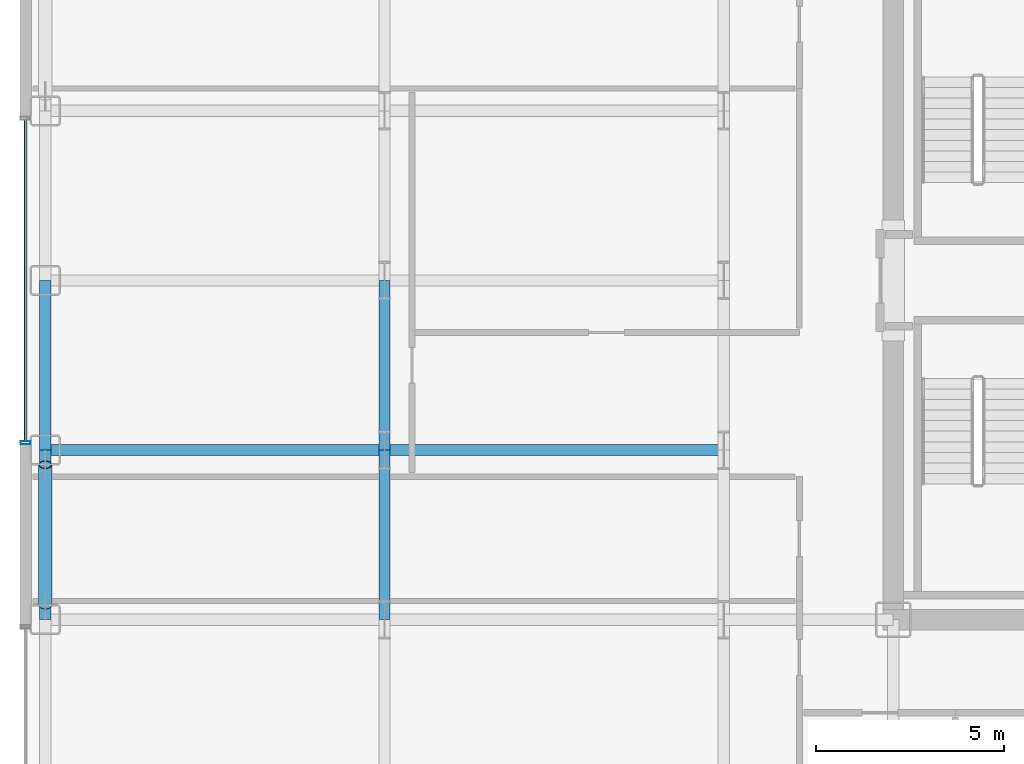
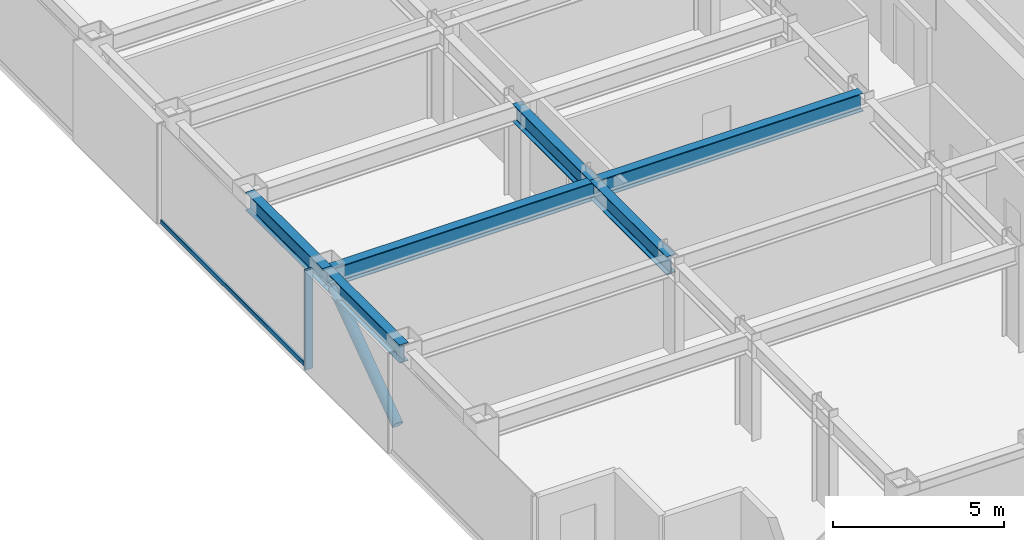
# One storey, part 5 of 29: 6 beams, 3 members, 1 element without a shape of its own.
"""IFC4 building model written with IfcOpenShell, lengths in metres."""

from ifc_helpers import new_model, si_unit, direction, frame, origin, origin_2d, place, context, subcontext, project, spatial, hollow_rectangle, hollow_circle, i_section, extrude, source, transform, mapped, material, layer, layer_set, material_profile, profile_set, type_object, element, aggregate, save


model = new_model("IFC4")

# Units and contexts
model_context = context("Model", 3, precision=1e-05, world=origin(), true_north=direction((0.0, 1.0)))
body_context = subcontext(model_context, "Body", "Model", "MODEL_VIEW")
ifc_project = project(units=[si_unit("LENGTHUNIT", "METRE"), si_unit("AREAUNIT", "SQUARE_METRE"), si_unit("VOLUMEUNIT", "CUBIC_METRE"), si_unit("PLANEANGLEUNIT", "RADIAN"), si_unit("MASSUNIT", "GRAM", prefix="KILO")], contexts=[model_context])

# Site, building, storey
site_placement = place(None, origin())
site = spatial("IfcSite", under=ifc_project, at=site_placement, CompositionType="ELEMENT")
building_placement = place(site_placement, origin())
building = spatial("IfcBuilding", under=site, at=building_placement, Name="Nefas-Gora Pilgrimage Tower", CompositionType="ELEMENT")
storey_placement = place(building_placement, frame((0.0, 0.0, 113.60009765625)))
storey = spatial("IfcBuildingStorey", under=building, at=storey_placement, Name="L27", CompositionType="ELEMENT", Elevation=113.60009765625)

# Beams
ifc_material_1 = material(Name="Steel S355", Category="steel")
ifc_material_profile_1 = material_profile(ifc_material_1, i_section(OverallWidth=0.300048828125, OverallDepth=0.64990234375, WebThickness=0.01611328125, FlangeThickness=0.031005859375, FilletRadius=0.027099609375, at=origin_2d()), Name="HEB 650")
ifc_profile_set_1 = profile_set([ifc_material_profile_1], Name="Steel S355")
beam_type_1 = type_object("IfcBeamType", Name="BM-SPN-HEB500", PredefinedType="SPANDREL", material=ifc_profile_set_1)
shared_shape_1 = source(origin(), body_context, "Body", "SweptSolid", [
    extrude(i_section(OverallWidth=0.300048828125, OverallDepth=0.64990234375, WebThickness=0.01611328125, FlangeThickness=0.031005859375, FilletRadius=0.027099609375, at=origin_2d()), origin(), (0.0, 0.0, 1.0), 4.5),
])
for number, where, z_axis, x_axis, name in (
    (1, (-33.75, -9.0, 3.224853515625), (0.0, 1.0, 0.0), (-1.0, 0.0, 0.0), "L27 SP-02 beam"),
    (2, (-33.75, -4.5, 3.224853515625), (0.0, 1.0, 0.0), (-1.0, 0.0, 0.0), "L27 SP-02 beam"),
):
    element("IfcBeam", number, at=place(storey_placement, frame(where, z_axis=z_axis, x_axis=x_axis)), inside=storey, type_object=beam_type_1, Name=name, PredefinedType="SPANDREL", context=body_context, shape_type="MappedRepresentation", body=[
        mapped(shared_shape_1, transform((0.0, 0.0, 0.0), x_axis=(1.0, 0.0, 0.0), y_axis=(0.0, 1.0, 0.0), z_axis=(0.0, 0.0, 1.0), scale=1.0)),
    ])
ifc_material_profile_2 = material_profile(ifc_material_1, i_section(OverallWidth=0.300048828125, OverallDepth=0.64990234375, WebThickness=0.01611328125, FlangeThickness=0.031005859375, FilletRadius=0.027099609375, at=origin_2d()), Name="HEB 650")
ifc_profile_set_2 = profile_set([ifc_material_profile_2], Name="Steel S355")
beam_type_2 = type_object("IfcBeamType", Name="BM-GIR-HEB650", PredefinedType="BEAM", material=ifc_profile_set_2)
shared_shape_2 = source(origin(), body_context, "Body", "SweptSolid", [
    extrude(i_section(OverallWidth=0.300048828125, OverallDepth=0.64990234375, WebThickness=0.01611328125, FlangeThickness=0.031005859375, FilletRadius=0.027099609375, at=origin_2d()), origin(), (0.0, 0.0, 1.0), 9.0),
])
for number, where, z_axis, x_axis, name in (
    (3, (-33.75, -4.5, 3.224853515625), (1.0, 0.0, 0.0), (0.0, 1.0, 0.0), "L27 G-03 beam"),
    (4, (-24.75, -4.5, 3.224853515625), (1.0, 0.0, 0.0), (0.0, 1.0, 0.0), "L27 G-03 beam"),
):
    element("IfcBeam", number, at=place(storey_placement, frame(where, z_axis=z_axis, x_axis=x_axis)), inside=storey, type_object=beam_type_2, Name=name, PredefinedType="BEAM", context=body_context, shape_type="MappedRepresentation", body=[
        mapped(shared_shape_2, transform((0.0, 0.0, 0.0), x_axis=(1.0, 0.0, 0.0), y_axis=(0.0, 1.0, 0.0), z_axis=(0.0, 0.0, 1.0), scale=1.0)),
    ])
shared_shape_3 = source(origin(), body_context, "Body", "SweptSolid", [
    extrude(i_section(OverallWidth=0.300048828125, OverallDepth=0.64990234375, WebThickness=0.01611328125, FlangeThickness=0.031005859375, FilletRadius=0.027099609375, at=origin_2d()), origin(), (0.0, 0.0, 1.0), 4.5),
])
for number, where, z_axis, x_axis, name in (
    (5, (-24.75, -9.0, 3.224853515625), (0.0, 1.0, 0.0), (-1.0, 0.0, 0.0), "L27 G-03 beam"),
    (6, (-24.75, -4.5, 3.224853515625), (0.0, 1.0, 0.0), (-1.0, 0.0, 0.0), "L27 G-03 beam"),
):
    element("IfcBeam", number, at=place(storey_placement, frame(where, z_axis=z_axis, x_axis=x_axis)), inside=storey, type_object=beam_type_2, Name=name, PredefinedType="BEAM", context=body_context, shape_type="MappedRepresentation", body=[
        mapped(shared_shape_3, transform((0.0, 0.0, 0.0), x_axis=(1.0, 0.0, 0.0), y_axis=(0.0, 1.0, 0.0), z_axis=(0.0, 0.0, 1.0), scale=1.0)),
    ])

# Member
ifc_material_2 = material(Name="Steel S460", Category="steel")
ifc_material_profile_3 = material_profile(ifc_material_2, hollow_circle(Radius=0.177734375, WallThickness=0.02001953125, at=origin_2d()), Name="CHS 355.6x20")
ifc_profile_set_3 = profile_set([ifc_material_profile_3], Name="Steel S460")
member_type_1 = type_object("IfcMemberType", Name="MEM-TUBE-356", PredefinedType="BRACE", material=ifc_profile_set_3)
shared_shape_4 = source(origin(), body_context, "Body", "SweptSolid", [
    extrude(hollow_circle(Radius=0.177734375, WallThickness=0.02001953125, at=origin_2d()), origin(), (0.0, 0.0, 1.0), 4.579345703125),
])
member_1_placement = place(storey_placement, frame((-33.75, -8.612060546875, 0.427490234375), z_axis=(0.0, 0.813246879171, 0.581918820385), x_axis=(-1.0, 0.0, 0.0)))
element("IfcMember", 7, at=member_1_placement, inside=storey, type_object=member_type_1, Name="L27 Perimeter Tube Diagonal Brace W1", PredefinedType="BRACE", context=body_context, shape_type="MappedRepresentation", body=[
    mapped(shared_shape_4, transform((0.0, 0.0, 0.0), x_axis=(1.0, 0.0, 0.0), y_axis=(0.0, 1.0, 0.0), z_axis=(0.0, 0.0, 1.0), scale=1.0)),
])

# Curtain wall, members
ifc_material_3 = material(Name="Dark ceramic-fritted solar-control aluminium-glass curtain wall", Category="aluminium")
ifc_layer = layer(ifc_material_3, 0.219970703125)
ifc_layer_set = layer_set([ifc_layer], Name="Dark ceramic-fritted solar-control aluminium-glass curtain wall")
curtain_wall_type = type_object("IfcCurtainWallType", Name="CW-SYS-2", PredefinedType="NOTDEFINED", material=ifc_layer_set)
curtain_wall_placement = place(storey_placement, origin())
curtain_wall = element("IfcCurtainWall", 8, at=curtain_wall_placement, inside=storey, type_object=curtain_wall_type, Name="L27 Unitised Curtain Wall CW2", PredefinedType="NOTDEFINED")
ifc_material_4 = material(Name="Anodised architectural aluminium", Category="aluminium")
ifc_material_profile_4 = material_profile(ifc_material_4, hollow_rectangle(XDim=0.080078125, YDim=0.159912109375, WallThickness=0.00439453125, InnerFilletRadius=0.00439453125, OuterFilletRadius=0.009033203125, at=origin_2d()), Name="ALU TRANSOM 80x160")
ifc_profile_set_4 = profile_set([ifc_material_profile_4], Name="Anodised architectural aluminium")
member_type_2 = type_object("IfcMemberType", Name="CWM-TRN-2", PredefinedType="USERDEFINED", material=ifc_profile_set_4)
shared_shape_5 = source(origin(), body_context, "Body", "SweptSolid", [
    extrude(hollow_rectangle(XDim=0.080078125, YDim=0.159912109375, WallThickness=0.00439453125, InnerFilletRadius=0.00439453125, OuterFilletRadius=0.009033203125, at=origin_2d()), origin(), (0.0, 0.0, 1.0), 8.52001953125),
])
member_2_placement = place(storey_placement, frame((-34.27001953125, 4.260009765625, 0.0498046875), z_axis=(0.0, -1.0, 0.0), x_axis=(1.0, 0.0, 0.0)))
member_2 = element("IfcMember", 9, at=member_2_placement, type_object=member_type_2, Name="CW2 Spandrel Transom", ObjectType="TRANSOM", PredefinedType="USERDEFINED", context=body_context, shape_type="MappedRepresentation", body=[
    mapped(shared_shape_5, transform((0.0, 0.0, 0.0), x_axis=(1.0, 0.0, 0.0), y_axis=(0.0, 1.0, 0.0), z_axis=(0.0, 0.0, 1.0), scale=1.0)),
])
ifc_material_profile_5 = material_profile(ifc_material_4, hollow_rectangle(XDim=0.090087890625, YDim=0.260009765625, WallThickness=0.006103515625, InnerFilletRadius=0.006103515625, OuterFilletRadius=0.011962890625, at=origin_2d()), Name="ALU MULLION 90x260")
ifc_profile_set_5 = profile_set([ifc_material_profile_5], Name="Anodised architectural aluminium")
member_type_3 = type_object("IfcMemberType", Name="CWM-MUL-2", PredefinedType="MULLION", material=ifc_profile_set_5)
shared_shape_6 = source(origin(), body_context, "Body", "SweptSolid", [
    extrude(hollow_rectangle(XDim=0.090087890625, YDim=0.260009765625, WallThickness=0.006103515625, InnerFilletRadius=0.006103515625, OuterFilletRadius=0.011962890625, at=origin_2d()), origin(), (0.0, 0.0, 1.0), 3.5498046875),
])
member_3_placement = place(storey_placement, frame((-34.27001953125, -4.304931640625, 0.0), z_axis=(0.0, 0.0, 1.0), x_axis=(0.0, -1.0, 0.0)))
member_3 = element("IfcMember", 10, at=member_3_placement, type_object=member_type_3, Name="CW2 Mullion 2", PredefinedType="MULLION", context=body_context, shape_type="MappedRepresentation", body=[
    mapped(shared_shape_6, transform((0.0, 0.0, 0.0), x_axis=(1.0, 0.0, 0.0), y_axis=(0.0, 1.0, 0.0), z_axis=(0.0, 0.0, 1.0), scale=1.0)),
])
aggregate(curtain_wall, [member_3, member_2])

save(model, "model.ifc")
